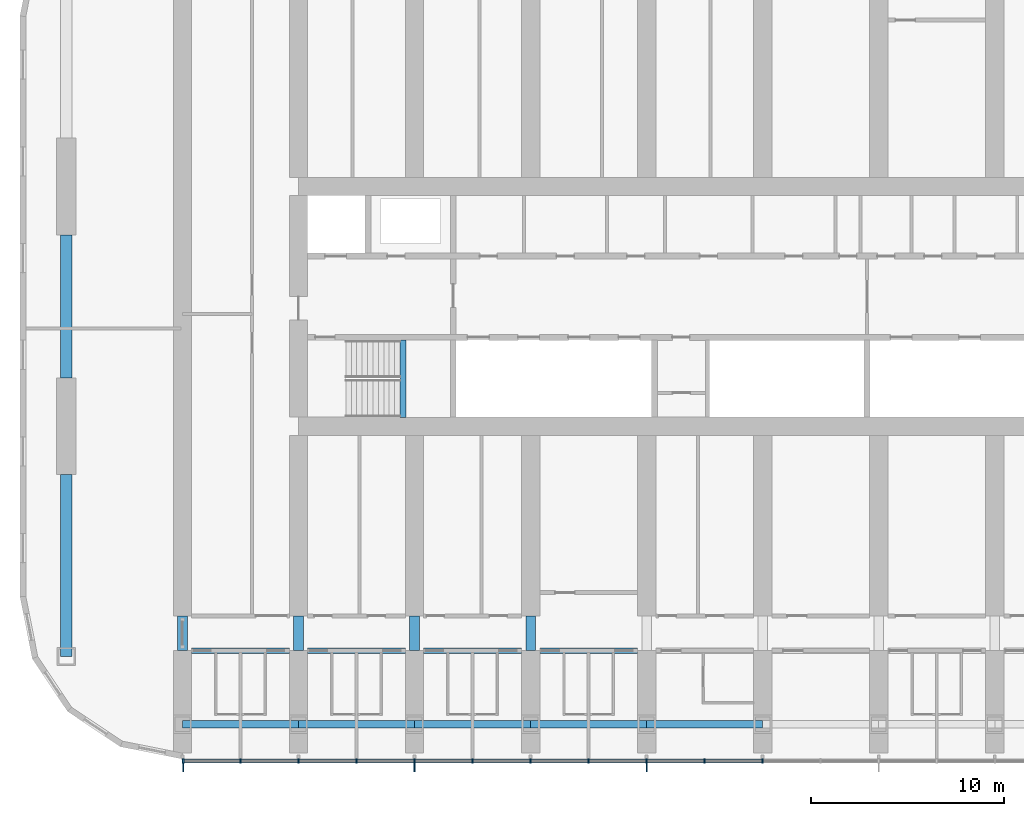
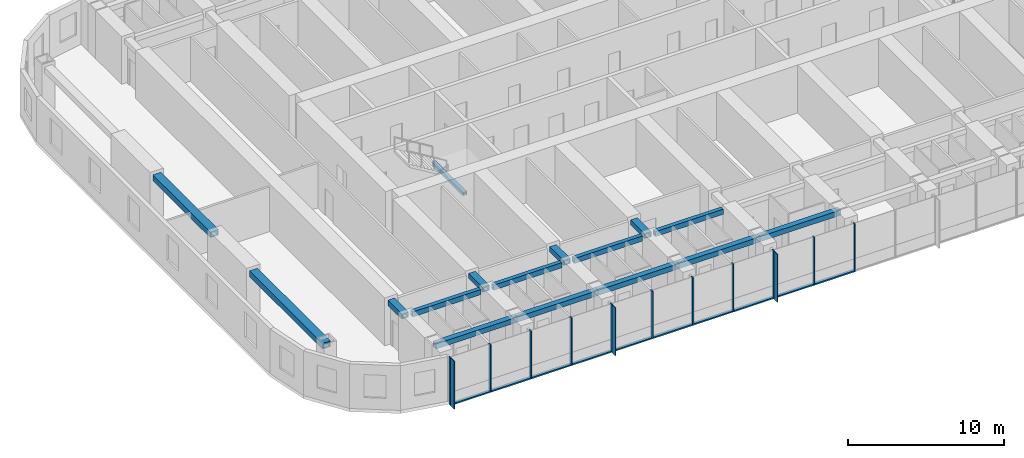
# One storey, part 2 of 22: 24 members, 16 beams, 1 element without a shape of its own.
"""IFC4 building model written with IfcOpenShell, lengths in metres."""

from ifc_helpers import new_model, si_unit, direction, frame, origin, origin_2d, place, context, subcontext, project, spatial, rectangle, hollow_rectangle, extrude, material, material_profile, profile_set, type_object, element, aggregate, save


model = new_model("IFC4")

# Units and contexts
model_context = context("Model", 3, precision=1e-05, world=origin(), true_north=direction((0.0, 1.0)))
body_context = subcontext(model_context, "Body", "Model", "MODEL_VIEW")
ifc_project = project(units=[si_unit("LENGTHUNIT", "METRE"), si_unit("AREAUNIT", "SQUARE_METRE"), si_unit("VOLUMEUNIT", "CUBIC_METRE"), si_unit("PLANEANGLEUNIT", "RADIAN"), si_unit("MASSUNIT", "GRAM", prefix="KILO")], contexts=[model_context])

# Site, building, storey
site_placement = place(None, origin())
site = spatial("IfcSite", under=ifc_project, at=site_placement, CompositionType="ELEMENT")
building_placement = place(site_placement, origin())
building = spatial("IfcBuilding", under=site, at=building_placement, Name="Orbita Commons", CompositionType="ELEMENT")
storey_placement = place(building_placement, frame((0.0, 0.0, 121.89990234375)))
storey = spatial("IfcBuildingStorey", under=building, at=storey_placement, Name="L30", CompositionType="ELEMENT", Elevation=121.89990234375)

# Curtain wall, members
ifc_material_1 = material(Name="Anodised aluminium frame, pale silver", Category="aluminium")
curtain_wall_type = type_object("IfcCurtainWallType", Name="Unitised curtain wall CW-T, vision and spandrel", PredefinedType="NOTDEFINED", material=ifc_material_1)
curtain_wall_placement = place(storey_placement, origin())
curtain_wall = element("IfcCurtainWall", 1, at=curtain_wall_placement, inside=storey, type_object=curtain_wall_type, Name="Curtain wall south L30", PredefinedType="NOTDEFINED")
ifc_material_2 = material(Name="Anodised aluminium, pale silver", Category="aluminium")
ifc_material_profile_1 = material_profile(ifc_material_2, rectangle(XDim=0.080078125, YDim=0.219970703125, at=origin_2d()), Name="AL 80x220")
ifc_profile_set_1 = profile_set([ifc_material_profile_1], Name="Anodised aluminium, pale silver")
member_type_1 = type_object("IfcMemberType", Name="Curtain wall mullion 80x220", PredefinedType="MULLION", material=ifc_profile_set_1)
member_1_placement = place(storey_placement, frame((12.0400390625, 8.489990234375, -0.25), z_axis=(0.0, 0.0, 1.0), x_axis=(1.0, 0.0, 0.0)))
member_1 = element("IfcMember", 2, at=member_1_placement, type_object=member_type_1, Name="Mullion 1 CW-L30-S", PredefinedType="MULLION", context=body_context, shape_type="SweptSolid", body=[
    extrude(rectangle(XDim=0.080078125, YDim=0.219970703125, at=origin_2d()), origin(), (0.0, 0.0, 1.0), 3.75),
])
member_2_placement = place(storey_placement, frame((15.0, 8.489990234375, -0.25), z_axis=(0.0, 0.0, 1.0), x_axis=(1.0, 0.0, 0.0)))
member_2 = element("IfcMember", 3, at=member_2_placement, type_object=member_type_1, Name="Mullion 2 CW-L30-S", PredefinedType="MULLION", context=body_context, shape_type="SweptSolid", body=[
    extrude(rectangle(XDim=0.080078125, YDim=0.219970703125, at=origin_2d()), origin(), (0.0, 0.0, 1.0), 3.75),
])
member_3_placement = place(storey_placement, frame((18.0, 8.489990234375, -0.25), z_axis=(0.0, 0.0, 1.0), x_axis=(1.0, 0.0, 0.0)))
member_3 = element("IfcMember", 4, at=member_3_placement, type_object=member_type_1, Name="Mullion 3 CW-L30-S", PredefinedType="MULLION", context=body_context, shape_type="SweptSolid", body=[
    extrude(rectangle(XDim=0.080078125, YDim=0.219970703125, at=origin_2d()), origin(), (0.0, 0.0, 1.0), 3.75),
])
member_4_placement = place(storey_placement, frame((21.0, 8.489990234375, -0.25), z_axis=(0.0, 0.0, 1.0), x_axis=(1.0, 0.0, 0.0)))
member_4 = element("IfcMember", 5, at=member_4_placement, type_object=member_type_1, Name="Mullion 4 CW-L30-S", PredefinedType="MULLION", context=body_context, shape_type="SweptSolid", body=[
    extrude(rectangle(XDim=0.080078125, YDim=0.219970703125, at=origin_2d()), origin(), (0.0, 0.0, 1.0), 3.75),
])
member_5_placement = place(storey_placement, frame((24.0, 8.489990234375, -0.25), z_axis=(0.0, 0.0, 1.0), x_axis=(1.0, 0.0, 0.0)))
member_5 = element("IfcMember", 6, at=member_5_placement, type_object=member_type_1, Name="Mullion 5 CW-L30-S", PredefinedType="MULLION", context=body_context, shape_type="SweptSolid", body=[
    extrude(rectangle(XDim=0.080078125, YDim=0.219970703125, at=origin_2d()), origin(), (0.0, 0.0, 1.0), 3.75),
])
member_6_placement = place(storey_placement, frame((27.0, 8.489990234375, -0.25), z_axis=(0.0, 0.0, 1.0), x_axis=(1.0, 0.0, 0.0)))
member_6 = element("IfcMember", 7, at=member_6_placement, type_object=member_type_1, Name="Mullion 6 CW-L30-S", PredefinedType="MULLION", context=body_context, shape_type="SweptSolid", body=[
    extrude(rectangle(XDim=0.080078125, YDim=0.219970703125, at=origin_2d()), origin(), (0.0, 0.0, 1.0), 3.75),
])
member_7_placement = place(storey_placement, frame((30.0, 8.489990234375, -0.25), z_axis=(0.0, 0.0, 1.0), x_axis=(1.0, 0.0, 0.0)))
member_7 = element("IfcMember", 8, at=member_7_placement, type_object=member_type_1, Name="Mullion 7 CW-L30-S", PredefinedType="MULLION", context=body_context, shape_type="SweptSolid", body=[
    extrude(rectangle(XDim=0.080078125, YDim=0.219970703125, at=origin_2d()), origin(), (0.0, 0.0, 1.0), 3.75),
])
member_8_placement = place(storey_placement, frame((33.0, 8.489990234375, -0.25), z_axis=(0.0, 0.0, 1.0), x_axis=(1.0, 0.0, 0.0)))
member_8 = element("IfcMember", 9, at=member_8_placement, type_object=member_type_1, Name="Mullion 8 CW-L30-S", PredefinedType="MULLION", context=body_context, shape_type="SweptSolid", body=[
    extrude(rectangle(XDim=0.080078125, YDim=0.219970703125, at=origin_2d()), origin(), (0.0, 0.0, 1.0), 3.75),
])
member_9_placement = place(storey_placement, frame((36.0, 8.489990234375, -0.25), z_axis=(0.0, 0.0, 1.0), x_axis=(1.0, 0.0, 0.0)))
member_9 = element("IfcMember", 10, at=member_9_placement, type_object=member_type_1, Name="Mullion 9 CW-L30-S", PredefinedType="MULLION", context=body_context, shape_type="SweptSolid", body=[
    extrude(rectangle(XDim=0.080078125, YDim=0.219970703125, at=origin_2d()), origin(), (0.0, 0.0, 1.0), 3.75),
])
member_10_placement = place(storey_placement, frame((39.0, 8.489990234375, -0.25), z_axis=(0.0, 0.0, 1.0), x_axis=(1.0, 0.0, 0.0)))
member_10 = element("IfcMember", 11, at=member_10_placement, type_object=member_type_1, Name="Mullion 10 CW-L30-S", PredefinedType="MULLION", context=body_context, shape_type="SweptSolid", body=[
    extrude(rectangle(XDim=0.080078125, YDim=0.219970703125, at=origin_2d()), origin(), (0.0, 0.0, 1.0), 3.75),
])
member_11_placement = place(storey_placement, frame((42.0, 8.489990234375, -0.25), z_axis=(0.0, 0.0, 1.0), x_axis=(1.0, 0.0, 0.0)))
member_11 = element("IfcMember", 12, at=member_11_placement, type_object=member_type_1, Name="Mullion 11 CW-L30-S", PredefinedType="MULLION", context=body_context, shape_type="SweptSolid", body=[
    extrude(rectangle(XDim=0.080078125, YDim=0.219970703125, at=origin_2d()), origin(), (0.0, 0.0, 1.0), 3.75),
])
ifc_material_3 = material(Name="Anodised aluminium, pale silver", Category="aluminium")
ifc_material_profile_2 = material_profile(ifc_material_3, rectangle(XDim=0.219970703125, YDim=0.10009765625, at=origin_2d()), Name="AL 220x100")
ifc_profile_set_2 = profile_set([ifc_material_profile_2], Name="Anodised aluminium, pale silver")
member_type_2 = type_object("IfcMemberType", Name="Curtain wall stack transom 220x100", PredefinedType="USERDEFINED", material=ifc_profile_set_2)
member_12_placement = place(storey_placement, frame((12.080078125, 8.489990234375, -0.199951171875), z_axis=(1.0, 0.0, 0.0), x_axis=(0.0, 1.0, 0.0)))
member_12 = element("IfcMember", 13, at=member_12_placement, type_object=member_type_2, Name="Transom 1.1 CW-L30-S", ObjectType="TRANSOM", PredefinedType="USERDEFINED", context=body_context, shape_type="SweptSolid", body=[
    extrude(rectangle(XDim=0.219970703125, YDim=0.10009765625, at=origin_2d()), origin(), (0.0, 0.0, 1.0), 2.8798828125),
])
member_13_placement = place(storey_placement, frame((15.0400390625, 8.489990234375, -0.199951171875), z_axis=(1.0, 0.0, 0.0), x_axis=(0.0, 1.0, 0.0)))
member_13 = element("IfcMember", 14, at=member_13_placement, type_object=member_type_2, Name="Transom 2.1 CW-L30-S", ObjectType="TRANSOM", PredefinedType="USERDEFINED", context=body_context, shape_type="SweptSolid", body=[
    extrude(rectangle(XDim=0.219970703125, YDim=0.10009765625, at=origin_2d()), origin(), (0.0, 0.0, 1.0), 2.919921875),
])
member_14_placement = place(storey_placement, frame((18.0400390625, 8.489990234375, -0.199951171875), z_axis=(1.0, 0.0, 0.0), x_axis=(0.0, 1.0, 0.0)))
member_14 = element("IfcMember", 15, at=member_14_placement, type_object=member_type_2, Name="Transom 3.1 CW-L30-S", ObjectType="TRANSOM", PredefinedType="USERDEFINED", context=body_context, shape_type="SweptSolid", body=[
    extrude(rectangle(XDim=0.219970703125, YDim=0.10009765625, at=origin_2d()), origin(), (0.0, 0.0, 1.0), 2.919921875),
])
member_15_placement = place(storey_placement, frame((21.0400390625, 8.489990234375, -0.199951171875), z_axis=(1.0, 0.0, 0.0), x_axis=(0.0, 1.0, 0.0)))
member_15 = element("IfcMember", 16, at=member_15_placement, type_object=member_type_2, Name="Transom 4.1 CW-L30-S", ObjectType="TRANSOM", PredefinedType="USERDEFINED", context=body_context, shape_type="SweptSolid", body=[
    extrude(rectangle(XDim=0.219970703125, YDim=0.10009765625, at=origin_2d()), origin(), (0.0, 0.0, 1.0), 2.919921875),
])
member_16_placement = place(storey_placement, frame((24.0400390625, 8.489990234375, -0.199951171875), z_axis=(1.0, 0.0, 0.0), x_axis=(0.0, 1.0, 0.0)))
member_16 = element("IfcMember", 17, at=member_16_placement, type_object=member_type_2, Name="Transom 5.1 CW-L30-S", ObjectType="TRANSOM", PredefinedType="USERDEFINED", context=body_context, shape_type="SweptSolid", body=[
    extrude(rectangle(XDim=0.219970703125, YDim=0.10009765625, at=origin_2d()), origin(), (0.0, 0.0, 1.0), 2.919921875),
])
member_17_placement = place(storey_placement, frame((27.0400390625, 8.489990234375, -0.199951171875), z_axis=(1.0, 0.0, 0.0), x_axis=(0.0, 1.0, 0.0)))
member_17 = element("IfcMember", 18, at=member_17_placement, type_object=member_type_2, Name="Transom 6.1 CW-L30-S", ObjectType="TRANSOM", PredefinedType="USERDEFINED", context=body_context, shape_type="SweptSolid", body=[
    extrude(rectangle(XDim=0.219970703125, YDim=0.10009765625, at=origin_2d()), origin(), (0.0, 0.0, 1.0), 2.919921875),
])
member_18_placement = place(storey_placement, frame((30.0400390625, 8.489990234375, -0.199951171875), z_axis=(1.0, 0.0, 0.0), x_axis=(0.0, 1.0, 0.0)))
member_18 = element("IfcMember", 19, at=member_18_placement, type_object=member_type_2, Name="Transom 7.1 CW-L30-S", ObjectType="TRANSOM", PredefinedType="USERDEFINED", context=body_context, shape_type="SweptSolid", body=[
    extrude(rectangle(XDim=0.219970703125, YDim=0.10009765625, at=origin_2d()), origin(), (0.0, 0.0, 1.0), 2.919921875),
])
member_19_placement = place(storey_placement, frame((33.0400390625, 8.489990234375, -0.199951171875), z_axis=(1.0, 0.0, 0.0), x_axis=(0.0, 1.0, 0.0)))
member_19 = element("IfcMember", 20, at=member_19_placement, type_object=member_type_2, Name="Transom 8.1 CW-L30-S", ObjectType="TRANSOM", PredefinedType="USERDEFINED", context=body_context, shape_type="SweptSolid", body=[
    extrude(rectangle(XDim=0.219970703125, YDim=0.10009765625, at=origin_2d()), origin(), (0.0, 0.0, 1.0), 2.919921875),
])
member_20_placement = place(storey_placement, frame((36.0400390625, 8.489990234375, -0.199951171875), z_axis=(1.0, 0.0, 0.0), x_axis=(0.0, 1.0, 0.0)))
member_20 = element("IfcMember", 21, at=member_20_placement, type_object=member_type_2, Name="Transom 9.1 CW-L30-S", ObjectType="TRANSOM", PredefinedType="USERDEFINED", context=body_context, shape_type="SweptSolid", body=[
    extrude(rectangle(XDim=0.219970703125, YDim=0.10009765625, at=origin_2d()), origin(), (0.0, 0.0, 1.0), 2.919921875),
])
member_21_placement = place(storey_placement, frame((39.0400390625, 8.489990234375, -0.199951171875), z_axis=(1.0, 0.0, 0.0), x_axis=(0.0, 1.0, 0.0)))
member_21 = element("IfcMember", 22, at=member_21_placement, type_object=member_type_2, Name="Transom 10.1 CW-L30-S", ObjectType="TRANSOM", PredefinedType="USERDEFINED", context=body_context, shape_type="SweptSolid", body=[
    extrude(rectangle(XDim=0.219970703125, YDim=0.10009765625, at=origin_2d()), origin(), (0.0, 0.0, 1.0), 2.919921875),
])

# Beams
ifc_material_4 = material(Name="Steel ASTM A572 Gr 50 welded plate", Category="steel")
ifc_material_profile_3 = material_profile(ifc_material_4, hollow_rectangle(XDim=0.300048828125, YDim=0.25, WallThickness=0.02490234375, at=origin_2d()), Name="BOX 250x300x25")
ifc_profile_set_3 = profile_set([ifc_material_profile_3], Name="Steel ASTM A572 Gr 50 welded plate")
beam_type_1 = type_object("IfcBeamType", Name="Stair landing beam steel BOX 250x300x25", PredefinedType="BEAM", material=ifc_profile_set_3)
beam_1_placement = place(storey_placement, frame((23.39990234375, 26.260009765625, 1.550048828125), z_axis=(0.0, 1.0, 0.0), x_axis=(-1.0, 0.0, 0.0)))
element("IfcBeam", 23, at=beam_1_placement, inside=storey, type_object=beam_type_1, Name="Stair S1 landing beam L30 1", PredefinedType="BEAM", context=body_context, shape_type="SweptSolid", body=[
    extrude(hollow_rectangle(XDim=0.300048828125, YDim=0.25, WallThickness=0.02490234375, at=origin_2d()), origin(), (0.0, 0.0, 1.0), 4.0048828125),
])
ifc_material_5 = material(Name="Steel ASTM A572 Gr 50 welded plate", Category="steel")
ifc_material_profile_4 = material_profile(ifc_material_5, hollow_rectangle(XDim=0.300048828125, YDim=0.39990234375, WallThickness=0.0400390625, at=origin_2d()), Name="BOX 400x300x40")
ifc_profile_set_4 = profile_set([ifc_material_profile_4], Name="Steel ASTM A572 Gr 50 welded plate")
beam_type_2 = type_object("IfcBeamType", Name="Steel corridor link BOX 400x300x40", PredefinedType="BEAM", material=ifc_profile_set_4)
for number, where, z_axis, x_axis, name in (
    (24, (12.47509765625, 14.199951171875, 3.300048828125), (1.0, 0.0, 0.0), (0.0, 1.0, 0.0), "Corridor beam SA 3-4 L30"),
    (25, (18.47509765625, 14.199951171875, 3.300048828125), (1.0, 0.0, 0.0), (0.0, 1.0, 0.0), "Corridor beam SA 4-5 L30"),
    (26, (24.47509765625, 14.199951171875, 3.300048828125), (1.0, 0.0, 0.0), (0.0, 1.0, 0.0), "Corridor beam SA 5-6 L30"),
    (27, (30.47509765625, 14.199951171875, 3.300048828125), (1.0, 0.0, 0.0), (0.0, 1.0, 0.0), "Corridor beam SA 6-7 L30"),
):
    element("IfcBeam", number, at=place(storey_placement, frame(where, z_axis=z_axis, x_axis=x_axis)), inside=storey, type_object=beam_type_2, Name=name, PredefinedType="BEAM", context=body_context, shape_type="SweptSolid", body=[
        extrude(hollow_rectangle(XDim=0.300048828125, YDim=0.39990234375, WallThickness=0.0400390625, at=origin_2d()), origin(), (0.0, 0.0, 1.0), 5.0498046875),
    ])
ifc_material_6 = material(Name="Steel ASTM A572 Gr 50 welded plate", Category="steel")
ifc_material_profile_5 = material_profile(ifc_material_6, hollow_rectangle(XDim=0.5, YDim=0.39990234375, WallThickness=0.050048828125, at=origin_2d()), Name="BOX 400x500x50")
ifc_profile_set_5 = profile_set([ifc_material_profile_5], Name="Steel ASTM A572 Gr 50 welded plate")
beam_type_3 = type_object("IfcBeamType", Name="Steel coupling link BOX 400x500x50", PredefinedType="LINTEL", material=ifc_profile_set_5)
for number, where, z_axis, x_axis, name in (
    (28, (12.0, 14.199951171875, 3.300048828125), (0.0, 1.0, 0.0), (-1.0, 0.0, 0.0), "Coupling beam 3 south L30"),
    (29, (18.0, 14.199951171875, 3.300048828125), (0.0, 1.0, 0.0), (-1.0, 0.0, 0.0), "Coupling beam 4 south L30"),
    (30, (24.0, 14.199951171875, 3.300048828125), (0.0, 1.0, 0.0), (-1.0, 0.0, 0.0), "Coupling beam 5 south L30"),
    (31, (30.0, 14.199951171875, 3.300048828125), (0.0, 1.0, 0.0), (-1.0, 0.0, 0.0), "Coupling beam 6 south L30"),
):
    element("IfcBeam", number, at=place(storey_placement, frame(where, z_axis=z_axis, x_axis=x_axis)), inside=storey, type_object=beam_type_3, Name=name, PredefinedType="LINTEL", context=body_context, shape_type="SweptSolid", body=[
        extrude(hollow_rectangle(XDim=0.5, YDim=0.39990234375, WallThickness=0.050048828125, at=origin_2d()), origin(), (0.0, 0.0, 1.0), 1.800048828125),
    ])
ifc_material_7 = material(Name="Steel ASTM A572 Gr 50 welded plate", Category="steel")
ifc_material_profile_6 = material_profile(ifc_material_7, hollow_rectangle(XDim=0.60009765625, YDim=0.449951171875, WallThickness=0.06005859375, at=origin_2d()), Name="BOX 450x600x60")
ifc_profile_set_6 = profile_set([ifc_material_profile_6], Name="Steel ASTM A572 Gr 50 welded plate")
beam_type_4 = type_object("IfcBeamType", Name="Steel end frame link BOX 450x600x60", PredefinedType="BEAM", material=ifc_profile_set_6)
beam_2_placement = place(storey_placement, frame((6.0, 13.89990234375, 3.275146484375), z_axis=(0.0, 1.0, 0.0), x_axis=(-1.0, 0.0, 0.0)))
element("IfcBeam", 32, at=beam_2_placement, inside=storey, type_object=beam_type_4, Name="End frame beam 2 B-C L30", PredefinedType="BEAM", context=body_context, shape_type="SweptSolid", body=[
    extrude(hollow_rectangle(XDim=0.60009765625, YDim=0.449951171875, WallThickness=0.06005859375, at=origin_2d()), origin(), (0.0, 0.0, 1.0), 9.400146484375),
])
beam_3_placement = place(storey_placement, frame((6.0, 28.300048828125, 3.275146484375), z_axis=(0.0, 1.0, 0.0), x_axis=(-1.0, 0.0, 0.0)))
element("IfcBeam", 33, at=beam_3_placement, inside=storey, type_object=beam_type_4, Name="End frame beam 2 C-D L30", PredefinedType="BEAM", context=body_context, shape_type="SweptSolid", body=[
    extrude(hollow_rectangle(XDim=0.60009765625, YDim=0.449951171875, WallThickness=0.06005859375, at=origin_2d()), origin(), (0.0, 0.0, 1.0), 7.39990234375),
])
ifc_material_8 = material(Name="Steel ASTM A572 Gr 50 welded plate", Category="steel")
ifc_material_profile_7 = material_profile(ifc_material_8, hollow_rectangle(XDim=0.39990234375, YDim=0.39990234375, WallThickness=0.0400390625, at=origin_2d()), Name="BOX 400x400x40")
ifc_profile_set_7 = profile_set([ifc_material_profile_7], Name="Steel ASTM A572 Gr 50 welded plate")
beam_type_5 = type_object("IfcBeamType", Name="Steel spandrel BOX 400x400x40", PredefinedType="SPANDREL", material=ifc_profile_set_7)
for number, where, z_axis, x_axis, name in (
    (34, (12.0, 10.39990234375, 3.300048828125), (1.0, 0.0, 0.0), (0.0, 1.0, 0.0), "Spandrel beam B 3-4 L30"),
    (35, (18.0, 10.39990234375, 3.300048828125), (1.0, 0.0, 0.0), (0.0, 1.0, 0.0), "Spandrel beam B 4-5 L30"),
    (36, (24.0, 10.39990234375, 3.300048828125), (1.0, 0.0, 0.0), (0.0, 1.0, 0.0), "Spandrel beam B 5-6 L30"),
    (37, (30.0, 10.39990234375, 3.300048828125), (1.0, 0.0, 0.0), (0.0, 1.0, 0.0), "Spandrel beam B 6-7 L30"),
    (38, (36.0, 10.39990234375, 3.300048828125), (1.0, 0.0, 0.0), (0.0, 1.0, 0.0), "Spandrel beam B 7-8 L30"),
):
    element("IfcBeam", number, at=place(storey_placement, frame(where, z_axis=z_axis, x_axis=x_axis)), inside=storey, type_object=beam_type_5, Name=name, PredefinedType="SPANDREL", context=body_context, shape_type="SweptSolid", body=[
        extrude(hollow_rectangle(XDim=0.39990234375, YDim=0.39990234375, WallThickness=0.0400390625, at=origin_2d()), origin(), (0.0, 0.0, 1.0), 6.0),
    ])

# Member
ifc_material_9 = material(Name="Anodised aluminium, pale silver", Category="aluminium")
ifc_material_profile_8 = material_profile(ifc_material_9, rectangle(XDim=0.06005859375, YDim=0.449951171875, at=origin_2d()), Name="FIN 60x450")
ifc_profile_set_8 = profile_set([ifc_material_profile_8], Name="Anodised aluminium, pale silver")
member_type_3 = type_object("IfcMemberType", Name="Vertical fin 60x450 pale aluminium", PredefinedType="USERDEFINED", material=ifc_profile_set_8)
member_22_placement = place(storey_placement, frame((12.0400390625, 8.155029296875, -0.25), z_axis=(0.0, 0.0, 1.0), x_axis=(1.0, 0.0, 0.0)))
member_22 = element("IfcMember", 39, at=member_22_placement, type_object=member_type_3, Name="Fin 1 CW-L30-S", ObjectType="FIN", PredefinedType="USERDEFINED", context=body_context, shape_type="SweptSolid", body=[
    extrude(rectangle(XDim=0.06005859375, YDim=0.449951171875, at=origin_2d()), origin(), (0.0, 0.0, 1.0), 3.75),
])

member_23_placement = place(storey_placement, frame((24.0, 8.155029296875, -0.25), z_axis=(0.0, 0.0, 1.0), x_axis=(1.0, 0.0, 0.0)))
member_23 = element("IfcMember", 40, at=member_23_placement, type_object=member_type_3, Name="Fin 5 CW-L30-S", ObjectType="FIN", PredefinedType="USERDEFINED", context=body_context, shape_type="SweptSolid", body=[
    extrude(rectangle(XDim=0.06005859375, YDim=0.449951171875, at=origin_2d()), origin(), (0.0, 0.0, 1.0), 3.75),
])

member_24_placement = place(storey_placement, frame((36.0, 8.155029296875, -0.25), z_axis=(0.0, 0.0, 1.0), x_axis=(1.0, 0.0, 0.0)))
member_24 = element("IfcMember", 41, at=member_24_placement, type_object=member_type_3, Name="Fin 9 CW-L30-S", ObjectType="FIN", PredefinedType="USERDEFINED", context=body_context, shape_type="SweptSolid", body=[
    extrude(rectangle(XDim=0.06005859375, YDim=0.449951171875, at=origin_2d()), origin(), (0.0, 0.0, 1.0), 3.75),
])

aggregate(curtain_wall, [member_1, member_22, member_2, member_3, member_4, member_5, member_23, member_6, member_7, member_8, member_9, member_24, member_10, member_11, member_12, member_13, member_14, member_15, member_16, member_17, member_18, member_19, member_20, member_21])

save(model, "model.ifc")
